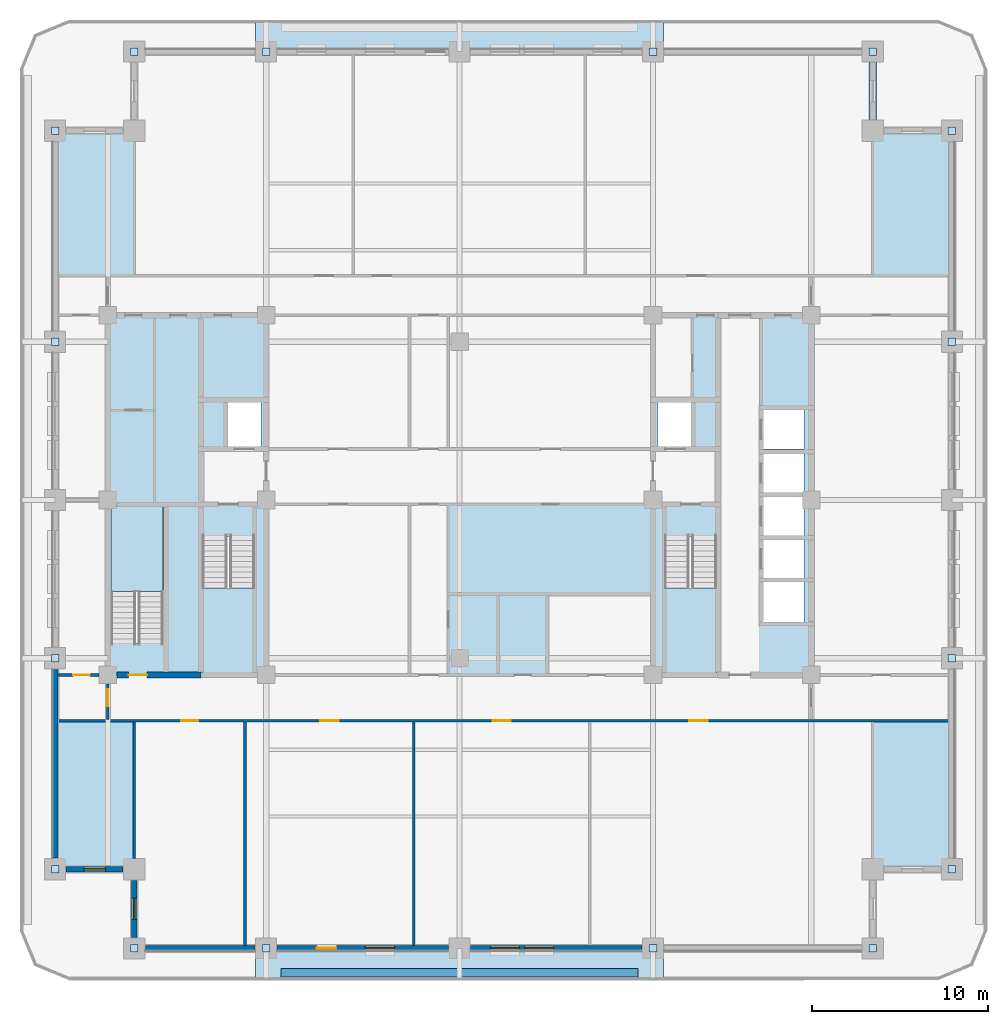
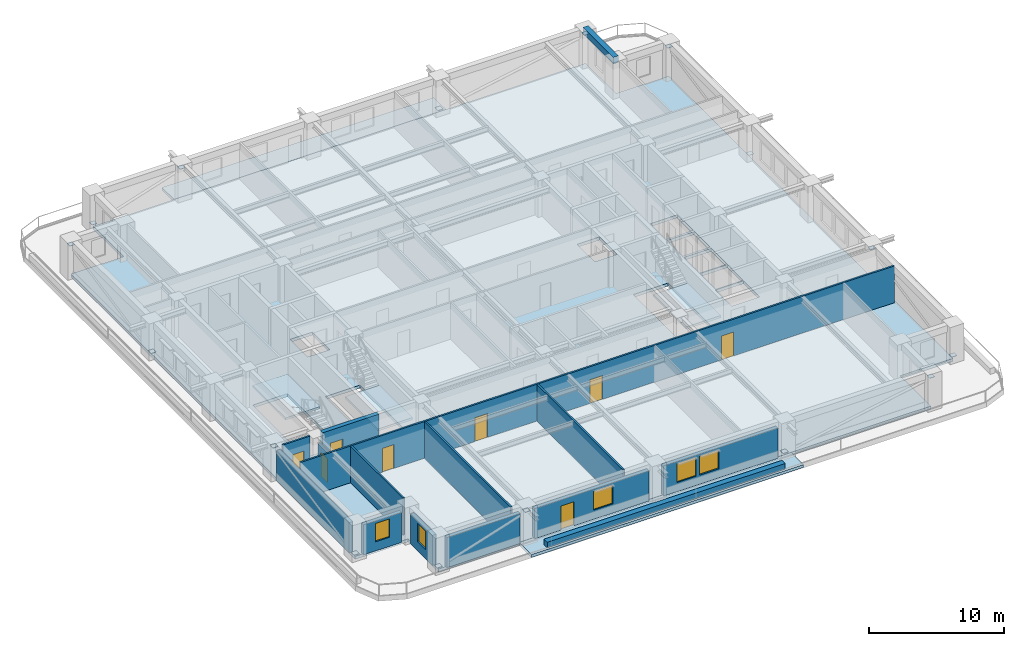
# One storey, part 2 of 14: 16 plates, 14 walls, 8 doors, 6 slabs, 5 windows, 1 beam, 13 openings, 3 elements without a shape of their own.
"""IFC4 building model written with IfcOpenShell, lengths in metres."""

from ifc_helpers import new_model, si_unit, direction, frame, frame_2d, origin, origin_2d, place, context, subcontext, project, spatial, polyline, rectangle, outline, extrude, material, layer, layer_set, material_profile, profile_set, type_object, element, fill, aggregate, save


model = new_model("IFC4")

# Units and contexts
model_context = context("Model", 3, precision=1e-05, world=origin(), true_north=direction((0.0, 1.0)))
body_context = subcontext(model_context, "Body", "Model", "MODEL_VIEW")
ifc_project = project(units=[si_unit("LENGTHUNIT", "METRE"), si_unit("AREAUNIT", "SQUARE_METRE"), si_unit("VOLUMEUNIT", "CUBIC_METRE"), si_unit("PLANEANGLEUNIT", "RADIAN"), si_unit("MASSUNIT", "GRAM", prefix="KILO")], contexts=[model_context])

# Site, building, storey
site_placement = place(None, origin())
site = spatial("IfcSite", under=ifc_project, at=site_placement, CompositionType="ELEMENT")
building_placement = place(site_placement, origin())
building = spatial("IfcBuilding", under=site, at=building_placement, Name="Zulmaris Gate Convention Tower", CompositionType="ELEMENT")
storey_placement = place(building_placement, frame((0.0, 0.0, 98.5)))
storey = spatial("IfcBuildingStorey", under=building, at=storey_placement, Name="L24", CompositionType="ELEMENT", Elevation=98.5)

# Beam
ifc_material_1 = material(Name="Precast concrete C50/60", Category="concrete")
ifc_material_profile = material_profile(ifc_material_1, rectangle(XDim=0.449951171875, YDim=0.60009765625, at=origin_2d()), Name="RC SPANDREL 450x600")
ifc_profile_set = profile_set([ifc_material_profile], Name="Precast concrete C50/60")
beam_type = type_object("IfcBeamType", Name="BM-SP450x600", PredefinedType="SPANDREL", material=ifc_profile_set)
beam_placement = place(storey_placement, frame((23.5, 21.0, 3.019775390625), z_axis=(0.0, 1.0, 0.0), x_axis=(-1.0, 0.0, 0.0)))
element("IfcBeam", 1, at=beam_placement, inside=storey, type_object=beam_type, Name="L24 Spandrel SP-L24-12", PredefinedType="SPANDREL", context=body_context, shape_type="SweptSolid", body=[
    extrude(rectangle(XDim=0.449951171875, YDim=0.60009765625, at=origin_2d()), origin(), (0.0, 0.0, 1.0), 4.5),
])

# Plates
ifc_material_2 = material(Name="Steel S460", Category="steel")
ifc_layer_1 = layer(ifc_material_2, 0.02490234375, Name="Steel S460")
ifc_layer_set_1 = layer_set([ifc_layer_1], Name="Steel S460")
plate_type = type_object("IfcPlateType", Name="NP-CAP-440", PredefinedType="USERDEFINED", material=ifc_layer_set_1)
for number, where, z_axis, x_axis, name in (
    (2, (-23.0, -21.0, 0.28759765625), (0.0, 0.0, 1.0), (1.0, 0.0, 0.0), "L24 Steel Node Plate PBR-L24-SW-W-CAP"),
    (3, (-23.0, -9.0, 2.687255859375), (0.0, 0.0, 1.0), (1.0, 0.0, 0.0), "L24 Steel Node Plate PBR-L24-SW-W-CAPB"),
    (4, (-23.0, 9.0, 0.28759765625), (0.0, 0.0, 1.0), (1.0, 0.0, 0.0), "L24 Steel Node Plate PBR-L24-NW-W-CAP"),
    (5, (-23.0, 21.0, 2.687255859375), (0.0, 0.0, 1.0), (1.0, 0.0, 0.0), "L24 Steel Node Plate PBR-L24-NW-W-CAPB"),
    (6, (28.0, -21.0, 0.28759765625), (0.0, 0.0, 1.0), (1.0, 0.0, 0.0), "L24 Steel Node Plate PBR-L24-SE-E-CAP"),
    (7, (28.0, -9.0, 2.687255859375), (0.0, 0.0, 1.0), (1.0, 0.0, 0.0), "L24 Steel Node Plate PBR-L24-SE-E-CAPB"),
    (8, (28.0, 9.0, 0.28759765625), (0.0, 0.0, 1.0), (1.0, 0.0, 0.0), "L24 Steel Node Plate PBR-L24-NE-E-CAP"),
    (9, (28.0, 21.0, 2.687255859375), (0.0, 0.0, 1.0), (1.0, 0.0, 0.0), "L24 Steel Node Plate PBR-L24-NE-E-CAPB"),
    (10, (-18.5, -25.5, 0.28759765625), (0.0, 0.0, 1.0), (1.0, 0.0, 0.0), "L24 Steel Node Plate PBR-L24-SW-S-CAP"),
    (11, (-11.0, -25.5, 2.687255859375), (0.0, 0.0, 1.0), (1.0, 0.0, 0.0), "L24 Steel Node Plate PBR-L24-SW-S-CAPB"),
    (12, (11.0, -25.5, 0.28759765625), (0.0, 0.0, 1.0), (1.0, 0.0, 0.0), "L24 Steel Node Plate PBR-L24-SE-S-CAP"),
    (13, (23.5, -25.5, 2.687255859375), (0.0, 0.0, 1.0), (1.0, 0.0, 0.0), "L24 Steel Node Plate PBR-L24-SE-S-CAPB"),
    (14, (-18.5, 25.5, 0.28759765625), (0.0, 0.0, 1.0), (1.0, 0.0, 0.0), "L24 Steel Node Plate PBR-L24-NW-N-CAP"),
    (15, (-11.0, 25.5, 2.687255859375), (0.0, 0.0, 1.0), (1.0, 0.0, 0.0), "L24 Steel Node Plate PBR-L24-NW-N-CAPB"),
    (16, (11.0, 25.5, 0.28759765625), (0.0, 0.0, 1.0), (1.0, 0.0, 0.0), "L24 Steel Node Plate PBR-L24-NE-N-CAP"),
    (17, (23.5, 25.5, 2.687255859375), (0.0, 0.0, 1.0), (1.0, 0.0, 0.0), "L24 Steel Node Plate PBR-L24-NE-N-CAPB"),
):
    element("IfcPlate", number, at=place(storey_placement, frame(where, z_axis=z_axis, x_axis=x_axis)), inside=storey, type_object=plate_type, Name=name, ObjectType="FLANGE PLATE", PredefinedType="USERDEFINED", context=body_context, shape_type="SweptSolid", body=[
        extrude(rectangle(XDim=0.43994140625, YDim=0.43994140625, at=origin_2d()), origin(), (0.0, 0.0, 1.0), 0.02490234375),
    ])

# Slabs
ifc_layer_2 = layer(ifc_material_1, 0.260009765625, Name="Precast concrete C50/60")
ifc_layer_set_2 = layer_set([ifc_layer_2], Name="Precast concrete C50/60")
slab_type_1 = type_object("IfcSlabType", Name="SL-BAL-260", PredefinedType="FLOOR", material=ifc_layer_set_2)
slab_1_placement = place(storey_placement, frame((0.0, 0.0, -0.27490234375)))
element("IfcSlab", 18, at=slab_1_placement, inside=storey, type_object=slab_type_1, Name="L24 South Tree-Balcony Planter Slab", PredefinedType="FLOOR", context=body_context, shape_type="SweptSolid", body=[
    extrude(outline(polyline([(-11.597900390625, -27.300048828125), (-11.597900390625, -25.5), (11.597900390625, -25.5), (11.597900390625, -27.300048828125), (-11.597900390625, -27.300048828125)])), origin(), (0.0, 0.0, 1.0), 0.260009765625),
])
slab_2_placement = place(storey_placement, frame((0.0, 0.0, -0.27490234375)))
element("IfcSlab", 19, at=slab_2_placement, inside=storey, type_object=slab_type_1, Name="L24 North Tree-Balcony Planter Slab", PredefinedType="FLOOR", context=body_context, shape_type="SweptSolid", body=[
    extrude(outline(polyline([(11.597900390625, 27.300048828125), (11.597900390625, 25.5), (-11.597900390625, 25.5), (-11.597900390625, 27.300048828125), (11.597900390625, 27.300048828125)])), origin(), (0.0, 0.0, 1.0), 0.260009765625),
])
ifc_material_3 = material(Name="Concrete C50/60", Category="concrete")
ifc_layer_3 = layer(ifc_material_3, 0.27490234375, Name="Concrete C50/60")
ifc_layer_set_3 = layer_set([ifc_layer_3], Name="Concrete C50/60")
slab_type_2 = type_object("IfcSlabType", Name="SL-FLR-275", PredefinedType="FLOOR", material=ifc_layer_set_3)
slab_3_placement = place(storey_placement, frame((0.0, 0.0, -0.27490234375)))
element("IfcSlab", 20, at=slab_3_placement, inside=storey, type_object=slab_type_2, Name="L24 Shifted Notched-Square Structural Floor Slab", PredefinedType="FLOOR", context=body_context, shape_type="SweptSolid", body=[
    extrude(outline(polyline([(-18.5, -25.5), (23.5, -25.5), (23.5, -21.0), (28.0, -21.0), (28.0, 21.0), (23.5, 21.0), (23.5, 25.5), (-18.5, 25.5), (-18.5, 21.0), (-23.0, 21.0), (-23.0, -21.0), (-18.5, -21.0), (-18.5, -25.5)]), holes=[polyline([(-14.6201171875, -2.080078125), (-14.6201171875, -9.85009765625), (-11.659912109375, -9.85009765625), (-11.659912109375, -2.080078125), (-14.6201171875, -2.080078125)]), polyline([(11.659912109375, -2.080078125), (11.659912109375, -9.85009765625), (14.6201171875, -9.85009765625), (14.6201171875, -2.080078125), (11.659912109375, -2.080078125)]), polyline([(-16.860107421875, -8.1201171875), (-16.860107421875, -0.35009765625), (-19.820068359375, -0.35009765625), (-19.820068359375, -8.1201171875), (-16.860107421875, -8.1201171875)]), polyline([(-13.199951171875, 3.0), (-11.300048828125, 3.0), (-11.300048828125, 5.60009765625), (-13.199951171875, 5.60009765625), (-13.199951171875, 3.0)]), polyline([(11.300048828125, 3.0), (13.199951171875, 3.0), (13.199951171875, 5.60009765625), (11.300048828125, 5.60009765625), (11.300048828125, 3.0)]), polyline([(17.199951171875, -7.0), (19.60009765625, -7.0), (19.60009765625, -4.60009765625), (17.199951171875, -4.60009765625), (17.199951171875, -7.0)]), polyline([(17.300048828125, -4.5), (19.60009765625, -4.5), (19.60009765625, -2.199951171875), (17.300048828125, -2.199951171875), (17.300048828125, -4.5)]), polyline([(17.300048828125, -2.10009765625), (19.60009765625, -2.10009765625), (19.60009765625, 0.199951171875), (17.300048828125, 0.199951171875), (17.300048828125, -2.10009765625)]), polyline([(17.300048828125, 0.39990234375), (19.60009765625, 0.39990234375), (19.60009765625, 2.699951171875), (17.300048828125, 2.699951171875), (17.300048828125, 0.39990234375)]), polyline([(17.300048828125, 2.89990234375), (19.60009765625, 2.89990234375), (19.60009765625, 5.199951171875), (17.300048828125, 5.199951171875), (17.300048828125, 2.89990234375)])]), origin(), (0.0, 0.0, 1.0), 0.27490234375),
])

# Stair, slab
ifc_material_4 = material(Name="Concrete C45/55", Category="concrete")
stair_type = type_object("IfcStairType", Name="ST-CORE-DOGLEG", PredefinedType="HALF_TURN_STAIR", material=ifc_material_4)
stair_1_placement = place(storey_placement, origin())
stair_1 = element("IfcStair", 21, at=stair_1_placement, inside=storey, type_object=stair_type, Name="L24 Core Exit Stair ST-1", PredefinedType="HALF_TURN_STAIR")
ifc_layer_4 = layer(ifc_material_4, 0.199951171875, Name="Concrete C45/55")
ifc_layer_set_4 = layer_set([ifc_layer_4], Name="Concrete C45/55")
slab_type_3 = type_object("IfcSlabType", Name="SL-LND-200", PredefinedType="LANDING", material=ifc_layer_set_4)
slab_4_placement = place(storey_placement, frame((0.0, 0.0, 1.5849609375)))
slab_4 = element("IfcSlab", 22, at=slab_4_placement, type_object=slab_type_3, Name="ST-1 landing 1", PredefinedType="LANDING", context=body_context, shape_type="SweptSolid", body=[
    extrude(outline(polyline([(-14.6201171875, -5.0), (-14.6201171875, -9.85009765625), (-11.659912109375, -9.85009765625), (-11.659912109375, -5.0), (-14.6201171875, -5.0)])), origin(), (0.0, 0.0, 1.0), 0.199951171875),
])
aggregate(stair_1, [slab_4])

stair_2_placement = place(storey_placement, origin())
stair_2 = element("IfcStair", 23, at=stair_2_placement, inside=storey, type_object=stair_type, Name="L24 Core Exit Stair ST-2", PredefinedType="HALF_TURN_STAIR")
slab_5_placement = place(storey_placement, frame((0.0, 0.0, 1.5849609375)))
slab_5 = element("IfcSlab", 24, at=slab_5_placement, type_object=slab_type_3, Name="ST-2 landing 1", PredefinedType="LANDING", context=body_context, shape_type="SweptSolid", body=[
    extrude(outline(polyline([(11.659912109375, -5.0), (11.659912109375, -9.85009765625), (14.6201171875, -9.85009765625), (14.6201171875, -5.0), (11.659912109375, -5.0)])), origin(), (0.0, 0.0, 1.0), 0.199951171875),
])
aggregate(stair_2, [slab_5])

stair_3_placement = place(storey_placement, origin())
stair_3 = element("IfcStair", 25, at=stair_3_placement, inside=storey, type_object=stair_type, Name="L24 Core Exit Stair ST-3", PredefinedType="HALF_TURN_STAIR")
slab_6_placement = place(storey_placement, frame((0.0, 0.0, 1.5849609375)))
slab_6 = element("IfcSlab", 26, at=slab_6_placement, type_object=slab_type_3, Name="ST-3 landing 1", PredefinedType="LANDING", context=body_context, shape_type="SweptSolid", body=[
    extrude(outline(polyline([(-16.860107421875, -5.199951171875), (-16.860107421875, -0.35009765625), (-19.820068359375, -0.35009765625), (-19.820068359375, -5.199951171875), (-16.860107421875, -5.199951171875)])), origin(), (0.0, 0.0, 1.0), 0.199951171875),
])
aggregate(stair_3, [slab_6])

# Wall, opening, door
ifc_material_5 = material(Name="Concrete C55/67", Category="concrete")
ifc_layer_5 = layer(ifc_material_5, 0.35009765625, Name="Concrete C55/67")
ifc_layer_set_5 = layer_set([ifc_layer_5], Name="Concrete C55/67")
wall_type_1 = type_object("IfcWallType", Name="CORE-350", PredefinedType="SHEAR", material=ifc_layer_set_5)
wall_1_placement = place(storey_placement, frame((-19.49609375, -9.949951171875, 0.0), z_axis=(0.0, 0.0, 1.0), x_axis=(1.0, 0.0, 0.0)))
wall_1 = element("IfcWall", 27, at=wall_1_placement, inside=storey, type_object=wall_type_1, Name="WL-L24-001", PredefinedType="SHEAR", context=body_context, shape_type="SweptSolid", body=[
    extrude(rectangle(XDim=4.796142578125, YDim=0.35009765625, at=frame_2d((2.39794921875, 0.0))), origin(), (0.0, 0.0, 1.0), 3.31982421875),
])
opening_1_placement = place(wall_1_placement, frame((0.6708984375, 0.0, 0.0)))
opening_1 = element("IfcOpeningElement", 28, at=opening_1_placement, cuts=wall_1, Name="Opening D-09", PredefinedType="OPENING", context=body_context, shape_type="SweptSolid", body=[
    extrude(rectangle(XDim=1.050048828125, YDim=2.14990234375, at=frame_2d((0.52490234375, 1.074951171875))), frame((0.0, 0.18505859375, 0.0), z_axis=(0.0, -1.0, 0.0), x_axis=(1.0, 0.0, 0.0)), (0.0, 0.0, 1.0), 0.3701171875),
])
ifc_material_6 = material(Name="Fire-Rated Steel", Category="steel")
door_type_1 = type_object("IfcDoorType", Name="DR-1050-FD", OperationType="NOTDEFINED", PredefinedType="DOOR", material=ifc_material_6)
door_1_placement = place(opening_1_placement, origin())
door_1 = element("IfcDoor", 29, at=door_1_placement, inside=storey, type_object=door_type_1, Name="L24 Exit Stair ST-3 Door 10", OperationType="SINGLE_SWING_LEFT", OverallHeight=2.14990234375, OverallWidth=1.050048828125, PredefinedType="DOOR", context=body_context, shape_type="SweptSolid", body=[
    extrude(rectangle(XDim=1.050048828125, YDim=2.14990234375, at=frame_2d((0.52490234375, 1.074951171875))), frame((0.0, 0.02490234375, 0.0), z_axis=(0.0, -1.0, 0.0), x_axis=(1.0, 0.0, 0.0)), (0.0, 0.0, 1.0), 0.050048828125),
])
fill(opening_1, door_1)

# Wall, openings, doors
ifc_material_7 = material(Name="Gypsum Metal Stud Partition")
ifc_layer_6 = layer(ifc_material_7, 0.14990234375, Name="Gypsum Metal Stud Partition")
ifc_layer_set_6 = layer_set([ifc_layer_6], Name="Gypsum Metal Stud Partition")
wall_type_2 = type_object("IfcWallType", Name="PART-150", PredefinedType="PARTITIONING", material=ifc_layer_set_6)
wall_2_placement = place(storey_placement, frame((-22.8349609375, -12.550048828125, 0.0), z_axis=(0.0, 0.0, 1.0), x_axis=(1.0, 0.0, 0.0)))
wall_2 = element("IfcWall", 30, at=wall_2_placement, inside=storey, type_object=wall_type_2, Name="WL-L24-021", PredefinedType="PARTITIONING", context=body_context, shape_type="SweptSolid", body=[
    extrude(rectangle(XDim=50.669921875, YDim=0.14990234375, at=frame_2d((25.3349609375, 0.0))), origin(), (0.0, 0.0, 1.0), 3.31982421875),
])
opening_2_placement = place(wall_2_placement, frame((7.010009765625, 0.0, 0.0)))
opening_2 = element("IfcOpeningElement", 31, at=opening_2_placement, cuts=wall_2, Name="Opening D-11", PredefinedType="OPENING", context=body_context, shape_type="SweptSolid", body=[
    extrude(rectangle(XDim=0.949951171875, YDim=2.14990234375, at=frame_2d((0.47509765625, 1.074951171875))), frame((0.0, 0.0849609375, 0.0), z_axis=(0.0, -1.0, 0.0), x_axis=(1.0, 0.0, 0.0)), (0.0, 0.0, 1.0), 0.169921875),
])
opening_3_placement = place(wall_2_placement, frame((14.909912109375, 0.0, 0.0)))
opening_3 = element("IfcOpeningElement", 32, at=opening_3_placement, cuts=wall_2, Name="Opening D-09", PredefinedType="OPENING", context=body_context, shape_type="SweptSolid", body=[
    extrude(rectangle(XDim=1.050048828125, YDim=2.14990234375, at=frame_2d((0.52490234375, 1.074951171875))), frame((0.0, 0.0849609375, 0.0), z_axis=(0.0, -1.0, 0.0), x_axis=(1.0, 0.0, 0.0)), (0.0, 0.0, 1.0), 0.169921875),
])
opening_4_placement = place(wall_2_placement, frame((24.7099609375, 0.0, 0.0)))
opening_4 = element("IfcOpeningElement", 33, at=opening_4_placement, cuts=wall_2, Name="Opening D-09", PredefinedType="OPENING", context=body_context, shape_type="SweptSolid", body=[
    extrude(rectangle(XDim=1.050048828125, YDim=2.14990234375, at=frame_2d((0.52490234375, 1.074951171875))), frame((0.0, 0.0849609375, 0.0), z_axis=(0.0, -1.0, 0.0), x_axis=(1.0, 0.0, 0.0)), (0.0, 0.0, 1.0), 0.169921875),
])
opening_5_placement = place(wall_2_placement, frame((35.909912109375, 0.0, 0.0)))
opening_5 = element("IfcOpeningElement", 34, at=opening_5_placement, cuts=wall_2, Name="Opening D-09", PredefinedType="OPENING", context=body_context, shape_type="SweptSolid", body=[
    extrude(rectangle(XDim=1.050048828125, YDim=2.14990234375, at=frame_2d((0.52490234375, 1.074951171875))), frame((0.0, 0.0849609375, 0.0), z_axis=(0.0, -1.0, 0.0), x_axis=(1.0, 0.0, 0.0)), (0.0, 0.0, 1.0), 0.169921875),
])
door_2_placement = place(opening_3_placement, origin())
door_2 = element("IfcDoor", 35, at=door_2_placement, inside=storey, type_object=door_type_1, Name="L24 Corporate Strategy Office Door 29", OperationType="SINGLE_SWING_RIGHT", OverallHeight=2.14990234375, OverallWidth=1.050048828125, PredefinedType="DOOR", context=body_context, shape_type="SweptSolid", body=[
    extrude(rectangle(XDim=1.050048828125, YDim=2.14990234375, at=frame_2d((0.52490234375, 1.074951171875))), frame((0.0, 0.02490234375, 0.0), z_axis=(0.0, -1.0, 0.0), x_axis=(1.0, 0.0, 0.0)), (0.0, 0.0, 1.0), 0.050048828125),
])
fill(opening_3, door_2)
door_3_placement = place(opening_4_placement, origin())
door_3 = element("IfcDoor", 36, at=door_3_placement, inside=storey, type_object=door_type_1, Name="L24 Project Advisory Studio Door 30", OperationType="SINGLE_SWING_LEFT", OverallHeight=2.14990234375, OverallWidth=1.050048828125, PredefinedType="DOOR", context=body_context, shape_type="SweptSolid", body=[
    extrude(rectangle(XDim=1.050048828125, YDim=2.14990234375, at=frame_2d((0.52490234375, 1.074951171875))), frame((0.0, 0.02490234375, 0.0), z_axis=(0.0, -1.0, 0.0), x_axis=(1.0, 0.0, 0.0)), (0.0, 0.0, 1.0), 0.050048828125),
])
fill(opening_4, door_3)
door_4_placement = place(opening_5_placement, origin())
door_4 = element("IfcDoor", 37, at=door_4_placement, inside=storey, type_object=door_type_1, Name="L24 Policy Research Study Door 31", OperationType="SINGLE_SWING_RIGHT", OverallHeight=2.14990234375, OverallWidth=1.050048828125, PredefinedType="DOOR", context=body_context, shape_type="SweptSolid", body=[
    extrude(rectangle(XDim=1.050048828125, YDim=2.14990234375, at=frame_2d((0.52490234375, 1.074951171875))), frame((0.0, 0.02490234375, 0.0), z_axis=(0.0, -1.0, 0.0), x_axis=(1.0, 0.0, 0.0)), (0.0, 0.0, 1.0), 0.050048828125),
])
fill(opening_5, door_4)
ifc_material_8 = material(Name="Fire-Rated Timber", Category="wood")
door_type_2 = type_object("IfcDoorType", Name="DR-950-FD", OperationType="NOTDEFINED", PredefinedType="DOOR", material=ifc_material_8)
door_5_placement = place(opening_2_placement, origin())
door_5 = element("IfcDoor", 38, at=door_5_placement, inside=storey, type_object=door_type_2, Name="L24 Executive Boardroom Door 28", OperationType="SINGLE_SWING_LEFT", OverallHeight=2.14990234375, OverallWidth=0.949951171875, PredefinedType="DOOR", context=body_context, shape_type="SweptSolid", body=[
    extrude(rectangle(XDim=0.949951171875, YDim=2.14990234375, at=frame_2d((0.47509765625, 1.074951171875))), frame((0.0, 0.02490234375, 0.0), z_axis=(0.0, -1.0, 0.0), x_axis=(1.0, 0.0, 0.0)), (0.0, 0.0, 1.0), 0.050048828125),
])
fill(opening_2, door_5)

# Wall, opening, door
wall_3_placement = place(storey_placement, frame((-22.8349609375, -9.949951171875, 0.0), z_axis=(0.0, 0.0, 1.0), x_axis=(1.0, 0.0, 0.0)))
wall_3 = element("IfcWall", 39, at=wall_3_placement, inside=storey, type_object=wall_type_2, Name="WL-L24-022", PredefinedType="PARTITIONING", context=body_context, shape_type="SweptSolid", body=[
    extrude(rectangle(XDim=2.328857421875, YDim=0.14990234375, at=frame_2d((1.16455078125, 0.0))), origin(), (0.0, 0.0, 1.0), 3.31982421875),
])
opening_6_placement = place(wall_3_placement, frame((0.860107421875, 0.0, 0.0)))
opening_6 = element("IfcOpeningElement", 40, at=opening_6_placement, cuts=wall_3, Name="Opening D-11", PredefinedType="OPENING", context=body_context, shape_type="SweptSolid", body=[
    extrude(rectangle(XDim=0.949951171875, YDim=2.14990234375, at=frame_2d((0.47509765625, 1.074951171875))), frame((0.0, 0.0849609375, 0.0), z_axis=(0.0, -1.0, 0.0), x_axis=(1.0, 0.0, 0.0)), (0.0, 0.0, 1.0), 0.169921875),
])
door_6_placement = place(opening_6_placement, origin())
door_6 = element("IfcDoor", 41, at=door_6_placement, inside=storey, type_object=door_type_2, Name="L24 SW Partner Door 42", OperationType="SINGLE_SWING_LEFT", OverallHeight=2.14990234375, OverallWidth=0.949951171875, PredefinedType="DOOR", context=body_context, shape_type="SweptSolid", body=[
    extrude(rectangle(XDim=0.949951171875, YDim=2.14990234375, at=frame_2d((0.47509765625, 1.074951171875))), frame((0.0, 0.02490234375, 0.0), z_axis=(0.0, -1.0, 0.0), x_axis=(1.0, 0.0, 0.0)), (0.0, 0.0, 1.0), 0.050048828125),
])
fill(opening_6, door_6)

wall_4_placement = place(storey_placement, frame((-20.0, -12.471923828125, 0.0), z_axis=(0.0, 0.0, 1.0), x_axis=(0.0, 1.0, 0.0)))
wall_4 = element("IfcWall", 42, at=wall_4_placement, inside=storey, type_object=wall_type_2, Name="WL-L24-069", PredefinedType="PARTITIONING", context=body_context, shape_type="SweptSolid", body=[
    extrude(rectangle(XDim=2.015869140625, YDim=0.14990234375, at=frame_2d((1.0078125, 0.0))), origin(), (0.0, 0.0, 1.0), 2.809814453125),
])
opening_7_placement = place(wall_4_placement, frame((0.7470703125, 0.0, 0.0)))
opening_7 = element("IfcOpeningElement", 43, at=opening_7_placement, cuts=wall_4, Name="Opening D-11", PredefinedType="OPENING", context=body_context, shape_type="SweptSolid", body=[
    extrude(rectangle(XDim=0.949951171875, YDim=2.14990234375, at=frame_2d((0.47509765625, 1.074951171875))), frame((0.0, 0.0849609375, 0.0), z_axis=(0.0, -1.0, 0.0), x_axis=(1.0, 0.0, 0.0)), (0.0, 0.0, 1.0), 0.169921875),
])
door_7_placement = place(opening_7_placement, origin())
door_7 = element("IfcDoor", 44, at=door_7_placement, inside=storey, type_object=door_type_2, Name="L24 SW Spur Door 40", OperationType="SINGLE_SWING_LEFT", OverallHeight=2.14990234375, OverallWidth=0.949951171875, PredefinedType="DOOR", context=body_context, shape_type="SweptSolid", body=[
    extrude(rectangle(XDim=0.949951171875, YDim=2.14990234375, at=frame_2d((0.47509765625, 1.074951171875))), frame((0.0, 0.02490234375, 0.0), z_axis=(0.0, -1.0, 0.0), x_axis=(1.0, 0.0, 0.0)), (0.0, 0.0, 1.0), 0.050048828125),
])
fill(opening_7, door_7)

# Walls
wall_5_placement = place(storey_placement, frame((-18.5, -20.39404296875, 0.0), z_axis=(0.0, 0.0, 1.0), x_axis=(0.0, 1.0, 0.0)))
element("IfcWall", 45, at=wall_5_placement, inside=storey, type_object=wall_type_2, Name="WL-L24-071", PredefinedType="PARTITIONING", context=body_context, shape_type="SweptSolid", body=[
    extrude(rectangle(XDim=7.76611328125, YDim=0.14990234375, at=frame_2d((3.883056640625, 0.0))), origin(), (0.0, 0.0, 1.0), 3.31982421875),
])
for number, where, z_axis, x_axis, name in (
    (46, (-12.199951171875, -25.3349609375, 0.0), (0.0, 0.0, 1.0), (0.0, 1.0, 0.0), "WL-L24-075"),
    (47, (-2.60009765625, -25.3349609375, 0.0), (0.0, 0.0, 1.0), (0.0, 1.0, 0.0), "WL-L24-079"),
):
    element("IfcWall", number, at=place(storey_placement, frame(where, z_axis=z_axis, x_axis=x_axis)), inside=storey, type_object=wall_type_2, Name=name, PredefinedType="PARTITIONING", context=body_context, shape_type="SweptSolid", body=[
        extrude(rectangle(XDim=12.70703125, YDim=0.14990234375, at=frame_2d((6.353515625, 0.0))), origin(), (0.0, 0.0, 1.0), 3.31982421875),
    ])
ifc_material_9 = material(Name="Botanical Green Glazed Precast Concrete C40/50", Category="concrete")
ifc_layer_7 = layer(ifc_material_9, 0.419921875, Name="Botanical Green Glazed Precast Concrete C40/50")
ifc_layer_set_7 = layer_set([ifc_layer_7], Name="Botanical Green Glazed Precast Concrete C40/50")
wall_type_3 = type_object("IfcWallType", Name="PLANTER-CURB-200", PredefinedType="PARAPET", material=ifc_layer_set_7)
wall_6_placement = place(storey_placement, frame((-10.14990234375, -26.8798828125, -0.0400390625), z_axis=(0.0, 0.0, 1.0), x_axis=(1.0, 0.0, 0.0)))
element("IfcWall", 48, at=wall_6_placement, inside=storey, type_object=wall_type_3, Name="L24 Full-Length Balcony Tree Planter Trough", PredefinedType="PARAPET", context=body_context, shape_type="SweptSolid", body=[
    extrude(rectangle(XDim=20.2998046875, YDim=0.47998046875, at=frame_2d((10.14990234375, 0.0))), origin(), (0.0, 0.0, 1.0), 0.52001953125),
])

# Wall, opening, window
ifc_material_10 = material(Name="Precast concrete C40/50", Category="concrete")
ifc_layer_8 = layer(ifc_material_10, 0.300048828125, Name="Precast concrete C40/50")
ifc_layer_set_8 = layer_set([ifc_layer_8], Name="Precast concrete C40/50")
wall_type_4 = type_object("IfcWallType", Name="PRECAST-PIER-300", PredefinedType="STANDARD", material=ifc_layer_set_8)
wall_7_placement = place(storey_placement, frame((-22.3701171875, -21.0, 0.0), z_axis=(0.0, 0.0, 1.0), x_axis=(1.0, 0.0, 0.0)))
wall_7 = element("IfcWall", 49, at=wall_7_placement, inside=storey, type_object=wall_type_4, Name="EW-L24-NOTCH-SW1_0", PredefinedType="STANDARD", context=body_context, shape_type="SweptSolid", body=[
    extrude(rectangle(XDim=3.240234375, YDim=0.300048828125, at=frame_2d((1.6201171875, 0.0))), origin(), (0.0, 0.0, 1.0), 2.7119140625),
])
opening_8_placement = place(wall_7_placement, frame((1.02001953125, 0.0, 0.820068359375)))
opening_8 = element("IfcOpeningElement", 50, at=opening_8_placement, cuts=wall_7, Name="Opening W-04", PredefinedType="OPENING", context=body_context, shape_type="SweptSolid", body=[
    extrude(rectangle(XDim=1.199951171875, YDim=1.64990234375, at=frame_2d((0.60009765625, 0.824951171875))), frame((0.0, 0.16015625, 0.0), z_axis=(0.0, -1.0, 0.0), x_axis=(1.0, 0.0, 0.0)), (0.0, 0.0, 1.0), 0.320068359375),
])
ifc_material_11 = material(Name="Low-E Laminated Double Glazing in Aluminium Frame", Category="aluminium")
window_type_1 = type_object("IfcWindowType", Name="WIN-1200x2100", PartitioningType="SINGLE_PANEL", PredefinedType="WINDOW", material=ifc_material_11)
window_1_placement = place(opening_8_placement, origin())
window_1 = element("IfcWindow", 51, at=window_1_placement, inside=storey, type_object=window_type_1, Name="WN-EW-L24-NOTCH-SW1_0", OverallHeight=1.64990234375, OverallWidth=1.199951171875, PartitioningType="SINGLE_PANEL", PredefinedType="WINDOW", context=body_context, shape_type="SweptSolid", body=[
    extrude(rectangle(XDim=1.199951171875, YDim=1.64990234375, at=frame_2d((0.60009765625, 0.824951171875))), frame((0.0, 0.030029296875, 0.0), z_axis=(0.0, -1.0, 0.0), x_axis=(1.0, 0.0, 0.0)), (0.0, 0.0, 1.0), 0.06005859375),
])
fill(opening_8, window_1)

wall_8_placement = place(storey_placement, frame((-18.5, -21.6298828125, 0.0), z_axis=(0.0, 0.0, 1.0), x_axis=(0.0, -1.0, 0.0)))
wall_8 = element("IfcWall", 52, at=wall_8_placement, inside=storey, type_object=wall_type_4, Name="EW-L24-NOTCH-SW2_0", PredefinedType="STANDARD", context=body_context, shape_type="SweptSolid", body=[
    extrude(rectangle(XDim=3.240234375, YDim=0.300048828125, at=frame_2d((1.6201171875, 0.0))), origin(), (0.0, 0.0, 1.0), 2.7119140625),
])
opening_9_placement = place(wall_8_placement, frame((1.02001953125, 0.0, 0.820068359375)))
opening_9 = element("IfcOpeningElement", 53, at=opening_9_placement, cuts=wall_8, Name="Opening W-04", PredefinedType="OPENING", context=body_context, shape_type="SweptSolid", body=[
    extrude(rectangle(XDim=1.199951171875, YDim=1.64990234375, at=frame_2d((0.60009765625, 0.824951171875))), frame((0.0, 0.16015625, 0.0), z_axis=(0.0, -1.0, 0.0), x_axis=(1.0, 0.0, 0.0)), (0.0, 0.0, 1.0), 0.320068359375),
])
window_2_placement = place(opening_9_placement, origin())
window_2 = element("IfcWindow", 54, at=window_2_placement, inside=storey, type_object=window_type_1, Name="WN-EW-L24-NOTCH-SW2_0", OverallHeight=1.64990234375, OverallWidth=1.199951171875, PartitioningType="SINGLE_PANEL", PredefinedType="WINDOW", context=body_context, shape_type="SweptSolid", body=[
    extrude(rectangle(XDim=1.199951171875, YDim=1.64990234375, at=frame_2d((0.60009765625, 0.824951171875))), frame((0.0, 0.030029296875, 0.0), z_axis=(0.0, -1.0, 0.0), x_axis=(1.0, 0.0, 0.0)), (0.0, 0.0, 1.0), 0.06005859375),
])
fill(opening_9, window_2)

# Wall
wall_9_placement = place(storey_placement, frame((-17.8701171875, -25.5, 0.0), z_axis=(0.0, 0.0, 1.0), x_axis=(1.0, 0.0, 0.0)))
element("IfcWall", 55, at=wall_9_placement, inside=storey, type_object=wall_type_4, Name="EW-L24-S-0_0", PredefinedType="STANDARD", context=body_context, shape_type="SweptSolid", body=[
    extrude(rectangle(XDim=6.240234375, YDim=0.300048828125, at=frame_2d((3.1201171875, 0.0))), origin(), (0.0, 0.0, 1.0), 2.7119140625),
])

# Wall, openings, door, window
wall_10_placement = place(storey_placement, frame((-10.3701171875, -25.5, 0.0), z_axis=(0.0, 0.0, 1.0), x_axis=(1.0, 0.0, 0.0)))
wall_10 = element("IfcWall", 56, at=wall_10_placement, inside=storey, type_object=wall_type_4, Name="EW-L24-S-1_0", PredefinedType="STANDARD", context=body_context, shape_type="SweptSolid", body=[
    extrude(rectangle(XDim=9.740234375, YDim=0.300048828125, at=frame_2d((4.8701171875, 0.0))), origin(), (0.0, 0.0, 1.0), 2.7119140625),
])
opening_10_placement = place(wall_10_placement, frame((2.260009765625, 0.0, 0.0)))
opening_10 = element("IfcOpeningElement", 57, at=opening_10_placement, cuts=wall_10, Name="Opening D-04", PredefinedType="OPENING", context=body_context, shape_type="SweptSolid", body=[
    extrude(rectangle(XDim=1.10009765625, YDim=2.14990234375, at=frame_2d((0.550048828125, 1.074951171875))), frame((0.0, 0.16015625, 0.0), z_axis=(0.0, -1.0, 0.0), x_axis=(1.0, 0.0, 0.0)), (0.0, 0.0, 1.0), 0.320068359375),
])
opening_11_placement = place(wall_10_placement, frame((5.01904296875, 0.0, 0.800048828125)))
opening_11 = element("IfcOpeningElement", 58, at=opening_11_placement, cuts=wall_10, Name="Opening W-08", PredefinedType="OPENING", context=body_context, shape_type="SweptSolid", body=[
    extrude(rectangle(XDim=1.64990234375, YDim=1.699951171875, at=frame_2d((0.824951171875, 0.85009765625))), frame((0.0, 0.16015625, 0.0), z_axis=(0.0, -1.0, 0.0), x_axis=(1.0, 0.0, 0.0)), (0.0, 0.0, 1.0), 0.320068359375),
])
ifc_material_12 = material(Name="Anodised Aluminium and Laminated Glass", Category="aluminium")
door_type_3 = type_object("IfcDoorType", Name="ED-1100", OperationType="SINGLE_SWING_RIGHT", PredefinedType="DOOR", material=ifc_material_12)
door_8_placement = place(opening_10_placement, origin())
door_8 = element("IfcDoor", 59, at=door_8_placement, inside=storey, type_object=door_type_3, Name="L24 S Planted Terrace Door", OperationType="SINGLE_SWING_RIGHT", OverallHeight=2.14990234375, OverallWidth=1.10009765625, PredefinedType="DOOR", context=body_context, shape_type="SweptSolid", body=[
    extrude(rectangle(XDim=1.10009765625, YDim=2.14990234375, at=frame_2d((0.550048828125, 1.074951171875))), frame((0.0, 0.02490234375, 0.0), z_axis=(0.0, -1.0, 0.0), x_axis=(1.0, 0.0, 0.0)), (0.0, 0.0, 1.0), 0.050048828125),
])
fill(opening_10, door_8)
window_type_2 = type_object("IfcWindowType", Name="WIN-1650x2150", PartitioningType="SINGLE_PANEL", PredefinedType="WINDOW", material=ifc_material_11)
window_3_placement = place(opening_11_placement, origin())
window_3 = element("IfcWindow", 60, at=window_3_placement, inside=storey, type_object=window_type_2, Name="WN-EW-L24-S-1_0-3", OverallHeight=1.699951171875, OverallWidth=1.64990234375, PartitioningType="SINGLE_PANEL", PredefinedType="WINDOW", context=body_context, shape_type="SweptSolid", body=[
    extrude(rectangle(XDim=1.64990234375, YDim=1.699951171875, at=frame_2d((0.824951171875, 0.85009765625))), frame((0.0, 0.030029296875, 0.0), z_axis=(0.0, -1.0, 0.0), x_axis=(1.0, 0.0, 0.0)), (0.0, 0.0, 1.0), 0.06005859375),
])
fill(opening_11, window_3)

# Wall, openings, windows
wall_11_placement = place(storey_placement, frame((0.6298828125, -25.5, 0.0), z_axis=(0.0, 0.0, 1.0), x_axis=(1.0, 0.0, 0.0)))
wall_11 = element("IfcWall", 61, at=wall_11_placement, inside=storey, type_object=wall_type_4, Name="EW-L24-S-2_0", PredefinedType="STANDARD", context=body_context, shape_type="SweptSolid", body=[
    extrude(rectangle(XDim=9.740234375, YDim=0.300048828125, at=frame_2d((4.8701171875, 0.0))), origin(), (0.0, 0.0, 1.0), 2.7119140625),
])
opening_12_placement = place(wall_11_placement, frame((1.123046875, 0.0, 0.800048828125)))
opening_12 = element("IfcOpeningElement", 62, at=opening_12_placement, cuts=wall_11, Name="Opening W-08", PredefinedType="OPENING", context=body_context, shape_type="SweptSolid", body=[
    extrude(rectangle(XDim=1.64990234375, YDim=1.699951171875, at=frame_2d((0.824951171875, 0.85009765625))), frame((0.0, 0.16015625, 0.0), z_axis=(0.0, -1.0, 0.0), x_axis=(1.0, 0.0, 0.0)), (0.0, 0.0, 1.0), 0.320068359375),
])
opening_13_placement = place(wall_11_placement, frame((3.071044921875, 0.0, 0.800048828125)))
opening_13 = element("IfcOpeningElement", 63, at=opening_13_placement, cuts=wall_11, Name="Opening W-08", PredefinedType="OPENING", context=body_context, shape_type="SweptSolid", body=[
    extrude(rectangle(XDim=1.64990234375, YDim=1.699951171875, at=frame_2d((0.824951171875, 0.85009765625))), frame((0.0, 0.16015625, 0.0), z_axis=(0.0, -1.0, 0.0), x_axis=(1.0, 0.0, 0.0)), (0.0, 0.0, 1.0), 0.320068359375),
])
window_4_placement = place(opening_12_placement, origin())
window_4 = element("IfcWindow", 64, at=window_4_placement, inside=storey, type_object=window_type_2, Name="WN-EW-L24-S-2_0-1", OverallHeight=1.699951171875, OverallWidth=1.64990234375, PartitioningType="SINGLE_PANEL", PredefinedType="WINDOW", context=body_context, shape_type="SweptSolid", body=[
    extrude(rectangle(XDim=1.64990234375, YDim=1.699951171875, at=frame_2d((0.824951171875, 0.85009765625))), frame((0.0, 0.030029296875, 0.0), z_axis=(0.0, -1.0, 0.0), x_axis=(1.0, 0.0, 0.0)), (0.0, 0.0, 1.0), 0.06005859375),
])
fill(opening_12, window_4)
window_5_placement = place(opening_13_placement, origin())
window_5 = element("IfcWindow", 65, at=window_5_placement, inside=storey, type_object=window_type_2, Name="WN-EW-L24-S-2_0-2", OverallHeight=1.699951171875, OverallWidth=1.64990234375, PartitioningType="SINGLE_PANEL", PredefinedType="WINDOW", context=body_context, shape_type="SweptSolid", body=[
    extrude(rectangle(XDim=1.64990234375, YDim=1.699951171875, at=frame_2d((0.824951171875, 0.85009765625))), frame((0.0, 0.030029296875, 0.0), z_axis=(0.0, -1.0, 0.0), x_axis=(1.0, 0.0, 0.0)), (0.0, 0.0, 1.0), 0.06005859375),
])
fill(opening_13, window_5)

# Wall
wall_12_placement = place(storey_placement, frame((-23.0, -9.6298828125, 0.0), z_axis=(0.0, 0.0, 1.0), x_axis=(0.0, -1.0, 0.0)))
element("IfcWall", 66, at=wall_12_placement, inside=storey, type_object=wall_type_4, Name="EW-L24-W-0_0", PredefinedType="STANDARD", context=body_context, shape_type="SweptSolid", body=[
    extrude(rectangle(XDim=10.740234375, YDim=0.300048828125, at=frame_2d((5.3701171875, 0.0))), origin(), (0.0, 0.0, 1.0), 2.7119140625),
])

save(model, "model.ifc")
